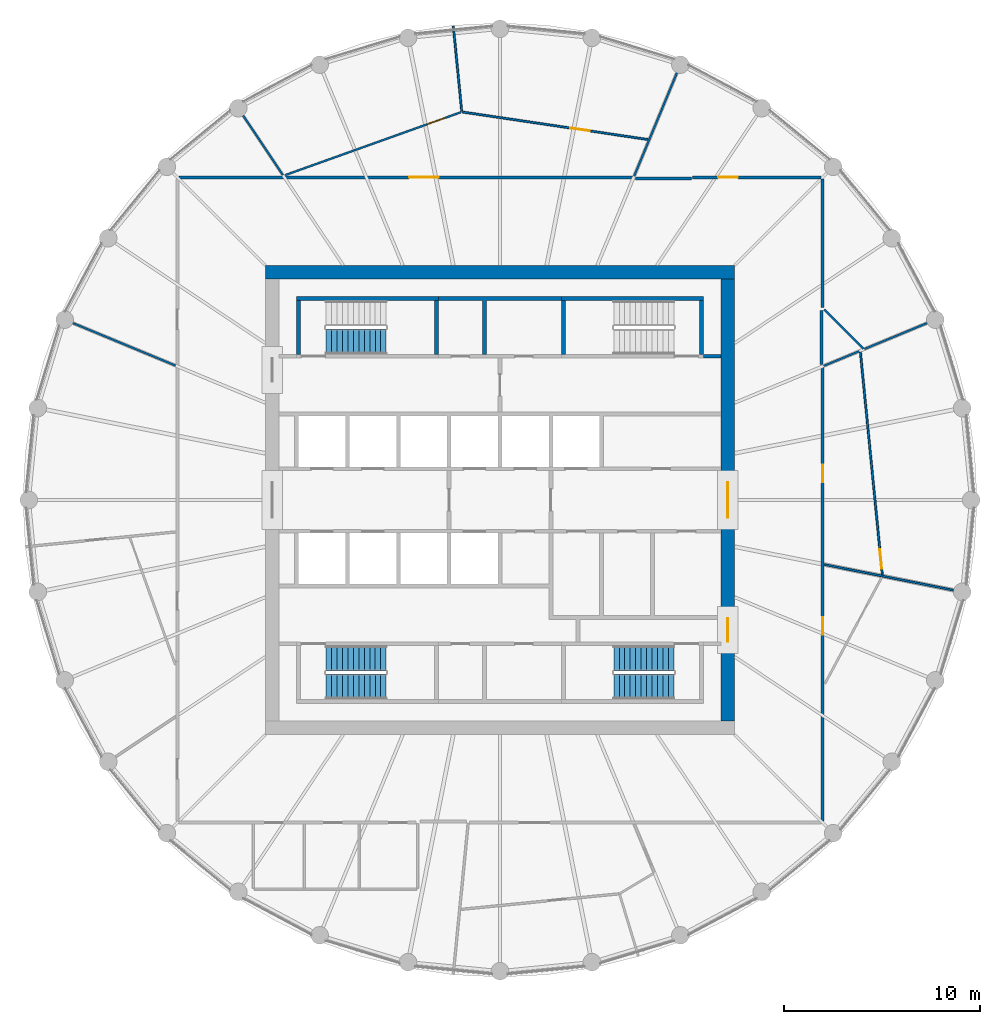
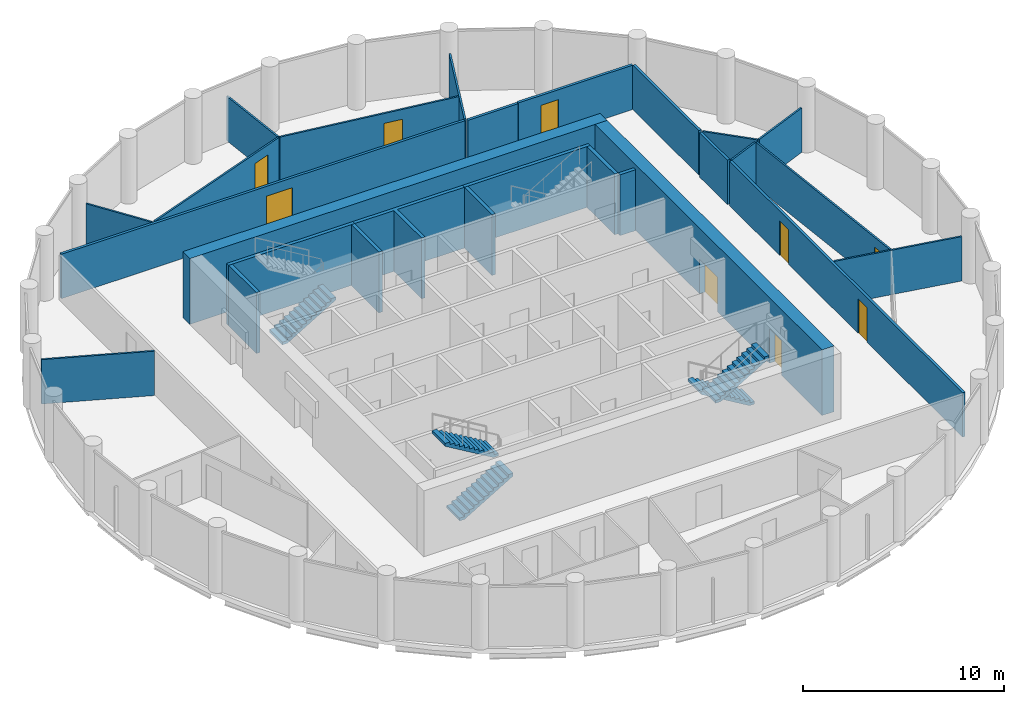
# One storey, part 6 of 8: 27 walls, 9 doors, 5 stair flights, 9 openings, 3 elements without a shape of their own.
"""IFC4 building model written with IfcOpenShell, lengths in metres."""

from ifc_helpers import new_model, si_unit, direction, frame, frame_2d, origin, place, context, subcontext, project, spatial, polyline, rectangle, outline, extrude, material, layer, layer_set, type_object, element, fill, aggregate, save


model = new_model("IFC4")

# Units and contexts
model_context = context("Model", 3, precision=1e-05, world=origin(), true_north=direction((0.0, 1.0)))
body_context = subcontext(model_context, "Body", "Model", "MODEL_VIEW")
ifc_project = project(units=[si_unit("LENGTHUNIT", "METRE"), si_unit("AREAUNIT", "SQUARE_METRE"), si_unit("VOLUMEUNIT", "CUBIC_METRE"), si_unit("PLANEANGLEUNIT", "RADIAN"), si_unit("MASSUNIT", "GRAM", prefix="KILO")], contexts=[model_context])

# Site, building, storey
site_placement = place(None, origin())
site = spatial("IfcSite", under=ifc_project, at=site_placement, CompositionType="ELEMENT")
building_placement = place(site_placement, origin())
building = spatial("IfcBuilding", under=site, at=building_placement, Name="Corvane Civic Tower", CompositionType="ELEMENT")
storey_placement = place(building_placement, frame((0.0, 0.0, 303.0)))
storey = spatial("IfcBuildingStorey", under=building, at=storey_placement, Name="L72", CompositionType="ELEMENT", Elevation=303.0)

# Wall
ifc_material_1 = material(Name="Concrete C40/50", Category="concrete")
ifc_layer_1 = layer(ifc_material_1, 0.699951171875)
ifc_layer_set_1 = layer_set([ifc_layer_1], Name="Concrete C40/50")
wall_type_1 = type_object("IfcWallType", Name="CORE WALL 700 C40/50", PredefinedType="SHEAR", material=ifc_layer_set_1)
wall_1_placement = place(storey_placement, frame((-12.0, 11.64990234375, 0.0), z_axis=(0.0, 0.0, 1.0), x_axis=(1.0, 0.0, 0.0)))
element("IfcWall", 1, at=wall_1_placement, inside=storey, type_object=wall_type_1, Name="W-L72-core-N", PredefinedType="SHEAR", context=body_context, shape_type="SweptSolid", body=[
    extrude(rectangle(XDim=24.0, YDim=0.699951171875, at=frame_2d((12.0, 0.0))), origin(), (0.0, 0.0, 1.0), 4.0),
])

# Wall, openings, doors
wall_2_placement = place(storey_placement, frame((11.64990234375, -11.300048828125, 0.0), z_axis=(0.0, 0.0, 1.0), x_axis=(0.0, 1.0, 0.0)))
wall_2 = element("IfcWall", 2, at=wall_2_placement, inside=storey, type_object=wall_type_1, Name="W-L72-core-E", PredefinedType="SHEAR", context=body_context, shape_type="SweptSolid", body=[
    extrude(rectangle(XDim=22.60009765625, YDim=0.699951171875, at=frame_2d((11.300048828125, 0.0))), origin(), (0.0, 0.0, 1.0), 4.0),
])
opening_1_placement = place(wall_2_placement, frame((10.39990234375, 0.0, 0.0)))
opening_1 = element("IfcOpeningElement", 3, at=opening_1_placement, cuts=wall_2, Name="Opening L72.C18", PredefinedType="OPENING", context=body_context, shape_type="SweptSolid", body=[
    extrude(rectangle(XDim=1.800048828125, YDim=2.10009765625, at=frame_2d((0.89990234375, 1.050048828125))), frame((0.0, 0.35986328125, 0.0), z_axis=(0.0, -1.0, 0.0), x_axis=(1.0, 0.0, 0.0)), (0.0, 0.0, 1.0), 0.719970703125),
])
opening_2_placement = place(wall_2_placement, frame((4.050048828125, 0.0, 0.0)))
opening_2 = element("IfcOpeningElement", 4, at=opening_2_placement, cuts=wall_2, Name="Opening L72.C20", PredefinedType="OPENING", context=body_context, shape_type="SweptSolid", body=[
    extrude(rectangle(XDim=1.199951171875, YDim=2.10009765625, at=frame_2d((0.60009765625, 1.050048828125))), frame((0.0, 0.35986328125, 0.0), z_axis=(0.0, -1.0, 0.0), x_axis=(1.0, 0.0, 0.0)), (0.0, 0.0, 1.0), 0.719970703125),
])
ifc_material_2 = material(Name="Steel fire door leaf", Category="steel")
door_type_1 = type_object("IfcDoorType", Name="CR-DOOR-CORE-1800", OperationType="DOUBLE_DOOR_SINGLE_SWING", PredefinedType="DOOR", material=ifc_material_2)
door_1_placement = place(opening_1_placement, origin())
door_1 = element("IfcDoor", 5, at=door_1_placement, inside=storey, type_object=door_type_1, Name="L72 door", OperationType="DOUBLE_DOOR_SINGLE_SWING", OverallHeight=2.10009765625, OverallWidth=1.800048828125, PredefinedType="DOOR", context=body_context, shape_type="SweptSolid", body=[
    extrude(rectangle(XDim=1.800048828125, YDim=2.10009765625, at=frame_2d((0.89990234375, 1.050048828125))), frame((0.0, 0.02490234375, 0.0), z_axis=(0.0, -1.0, 0.0), x_axis=(1.0, 0.0, 0.0)), (0.0, 0.0, 1.0), 0.050048828125),
])
fill(opening_1, door_1)
door_2_placement = place(opening_2_placement, origin())
door_2 = element("IfcDoor", 6, at=door_2_placement, inside=storey, type_object=door_type_1, Name="L72 door", OperationType="DOUBLE_DOOR_SINGLE_SWING", OverallHeight=2.10009765625, OverallWidth=1.199951171875, PredefinedType="DOOR", context=body_context, shape_type="SweptSolid", body=[
    extrude(rectangle(XDim=1.199951171875, YDim=2.10009765625, at=frame_2d((0.60009765625, 1.050048828125))), frame((0.0, 0.02490234375, 0.0), z_axis=(0.0, -1.0, 0.0), x_axis=(1.0, 0.0, 0.0)), (0.0, 0.0, 1.0), 0.050048828125),
])
fill(opening_2, door_2)

# Walls
ifc_material_3 = material(Name="Concrete C30/37", Category="concrete")
ifc_layer_2 = layer(ifc_material_3, 0.199951171875)
ifc_layer_set_2 = layer_set([ifc_layer_2], Name="Concrete C30/37")
wall_type_2 = type_object("IfcWallType", Name="CR-WALL-200", PredefinedType="PARTITIONING", material=ifc_layer_set_2)
wall_3_placement = place(storey_placement, origin())
element("IfcWall", 7, at=wall_3_placement, inside=storey, type_object=wall_type_2, Name="L72 core partition wall", PredefinedType="PARTITIONING", context=body_context, shape_type="SweptSolid", body=[
    extrude(outline(polyline([(3.14990234375, 10.39990234375), (3.14990234375, 10.199951171875), (-0.699951171875, 10.199951171875), (-0.699951171875, 7.449951171875), (-0.89990234375, 7.449951171875), (-0.89990234375, 10.199951171875), (-3.14990234375, 10.199951171875), (-3.14990234375, 10.39990234375), (3.14990234375, 10.39990234375)])), origin(), (0.0, 0.0, 1.0), 3.699951171875),
])
wall_4_placement = place(storey_placement, origin())
element("IfcWall", 8, at=wall_4_placement, inside=storey, type_object=wall_type_2, Name="L72 core partition wall", PredefinedType="PARTITIONING", context=body_context, shape_type="SweptSolid", body=[
    extrude(outline(polyline([(10.39990234375, 7.25), (10.39990234375, 7.449951171875), (11.300048828125, 7.449951171875), (11.300048828125, 7.25), (10.39990234375, 7.25)])), origin(), (0.0, 0.0, 1.0), 3.699951171875),
])
ifc_material_4 = material(Name="Plasterboard")
ifc_layer_3 = layer(ifc_material_4, 0.10009765625)
ifc_layer_set_3 = layer_set([ifc_layer_3], Name="Plasterboard")
wall_type_3 = type_object("IfcWallType", Name="Partition 100 plasterboard on studs", PredefinedType="PARTITIONING", material=ifc_layer_set_3)
wall_5_placement = place(storey_placement, frame((16.584716796875, -3.298828125, 0.0), z_axis=(0.0, 0.0, 1.0), x_axis=(0.980786617104, -0.195083601849, 0.0)))
element("IfcWall", 9, at=wall_5_placement, inside=storey, type_object=wall_type_3, Name="Partition L72.020", PredefinedType="PARTITIONING", context=body_context, shape_type="SweptSolid", body=[
    extrude(rectangle(XDim=6.73046875, YDim=0.10009765625, at=frame_2d((3.365234375, 0.0))), origin(), (0.0, 0.0, 1.0), 2.699951171875),
])

# Wall, opening, door
wall_6_placement = place(storey_placement, frame((18.433349609375, 7.5654296875, 0.0), z_axis=(0.0, 0.0, 1.0), x_axis=(0.09802300412, -0.995184149122, 0.0)))
wall_6 = element("IfcWall", 10, at=wall_6_placement, inside=storey, type_object=wall_type_3, Name="Partition L72.021", PredefinedType="PARTITIONING", context=body_context, shape_type="SweptSolid", body=[
    extrude(rectangle(XDim=11.444580078125, YDim=0.10009765625, at=frame_2d((5.72216796875, 0.0))), origin(), (0.0, 0.0, 1.0), 2.699951171875),
])
opening_3_placement = place(wall_6_placement, frame((10.14208984375, 0.0, 0.0)))
opening_3 = element("IfcOpeningElement", 11, at=opening_3_placement, cuts=wall_6, Name="Opening L72.002", PredefinedType="OPENING", context=body_context, shape_type="SweptSolid", body=[
    extrude(rectangle(XDim=1.0, YDim=2.10009765625, at=frame_2d((0.5, 1.050048828125))), frame((0.0, 0.06005859375, 0.0), z_axis=(0.0, -1.0, 0.0), x_axis=(1.0, 0.0, 0.0)), (0.0, 0.0, 1.0), 0.1201171875),
])
ifc_material_5 = material(Name="Timber", Category="wood")
door_type_2 = type_object("IfcDoorType", Name="Single door 1000", OperationType="NOTDEFINED", PredefinedType="DOOR", material=ifc_material_5)
door_3_placement = place(opening_3_placement, origin())
door_3 = element("IfcDoor", 12, at=door_3_placement, inside=storey, type_object=door_type_2, Name="Door L72.002", OperationType="SINGLE_SWING_LEFT", OverallHeight=2.10009765625, OverallWidth=1.0, PredefinedType="DOOR", context=body_context, shape_type="SweptSolid", body=[
    extrude(rectangle(XDim=1.0, YDim=2.10009765625, at=frame_2d((0.5, 1.050048828125))), frame((0.0, 0.02490234375, 0.0), z_axis=(0.0, -1.0, 0.0), x_axis=(1.0, 0.0, 0.0)), (0.0, 0.0, 1.0), 0.050048828125),
])
fill(opening_3, door_3)

# Walls
wall_7_placement = place(storey_placement, frame((16.55908203125, 6.85888671875, 0.0), z_axis=(0.0, 0.0, 1.0), x_axis=(0.923884360021, 0.382671777518, 0.0)))
element("IfcWall", 13, at=wall_7_placement, inside=storey, type_object=wall_type_3, Name="Partition L72.023", PredefinedType="PARTITIONING", context=body_context, shape_type="SweptSolid", body=[
    extrude(rectangle(XDim=1.9541015625, YDim=0.10009765625, at=frame_2d((0.97705078125, 0.0))), origin(), (0.0, 0.0, 1.0), 2.699951171875),
])
wall_8_placement = place(storey_placement, frame((-21.84033203125, 9.046630859375, 0.0), z_axis=(0.0, 0.0, 1.0), x_axis=(0.9238800682, -0.382682139097, 0.0)))
element("IfcWall", 14, at=wall_8_placement, inside=storey, type_object=wall_type_3, Name="Partition L72.024", PredefinedType="PARTITIONING", context=body_context, shape_type="SweptSolid", body=[
    extrude(rectangle(XDim=5.6787109375, YDim=0.10009765625, at=frame_2d((2.83935546875, 0.0))), origin(), (0.0, 0.0, 1.0), 2.699951171875),
])
wall_9_placement = place(storey_placement, frame((18.642578125, 7.721923828125, 0.0), z_axis=(0.0, 0.0, 1.0), x_axis=(0.923863801969, 0.382721407046, 0.0)))
element("IfcWall", 15, at=wall_9_placement, inside=storey, type_object=wall_type_3, Name="Partition L72.026", PredefinedType="PARTITIONING", context=body_context, shape_type="SweptSolid", body=[
    extrude(rectangle(XDim=3.461181640625, YDim=0.10009765625, at=frame_2d((1.73046875, 0.0))), origin(), (0.0, 0.0, 1.0), 2.699951171875),
])
wall_10_placement = place(storey_placement, frame((16.575439453125, 9.74560546875, 0.0), z_axis=(0.0, 0.0, 1.0), x_axis=(0.707106781187, -0.707106781187, 0.0)))
element("IfcWall", 16, at=wall_10_placement, inside=storey, type_object=wall_type_3, Name="Partition L72.027", PredefinedType="PARTITIONING", context=body_context, shape_type="SweptSolid", body=[
    extrude(rectangle(XDim=2.846435546875, YDim=0.10009765625, at=frame_2d((1.42333984375, 0.0))), origin(), (0.0, 0.0, 1.0), 2.699951171875),
])
wall_11_placement = place(storey_placement, frame((6.86328125, 16.569091796875, 0.0), z_axis=(0.0, 0.0, 1.0), x_axis=(0.382673022153, 0.923883844494, 0.0)))
element("IfcWall", 17, at=wall_11_placement, inside=storey, type_object=wall_type_3, Name="Partition L72.032", PredefinedType="PARTITIONING", context=body_context, shape_type="SweptSolid", body=[
    extrude(rectangle(XDim=5.70556640625, YDim=0.10009765625, at=frame_2d((2.852783203125, 0.0))), origin(), (0.0, 0.0, 1.0), 2.699951171875),
])
wall_12_placement = place(storey_placement, frame((-13.133544921875, 19.656005859375, 0.0), z_axis=(0.0, 0.0, 1.0), x_axis=(0.555547507872, -0.831484796311, 0.0)))
element("IfcWall", 18, at=wall_12_placement, inside=storey, type_object=wall_type_3, Name="Partition L72.033", PredefinedType="PARTITIONING", context=body_context, shape_type="SweptSolid", body=[
    extrude(rectangle(XDim=3.65576171875, YDim=0.10009765625, at=frame_2d((1.827880859375, 0.0))), origin(), (0.0, 0.0, 1.0), 2.699951171875),
])

# Wall, opening, door
wall_13_placement = place(storey_placement, frame((-10.973388671875, 16.6220703125, 0.0), z_axis=(0.0, 0.0, 1.0), x_axis=(0.94154661976, 0.336882713743, 0.0)))
wall_13 = element("IfcWall", 19, at=wall_13_placement, inside=storey, type_object=wall_type_3, Name="Partition L72.034", PredefinedType="PARTITIONING", context=body_context, shape_type="SweptSolid", body=[
    extrude(rectangle(XDim=9.539306640625, YDim=0.10009765625, at=frame_2d((4.76953125, 0.0))), origin(), (0.0, 0.0, 1.0), 2.699951171875),
])
opening_4_placement = place(wall_13_placement, frame((7.69580078125, 0.0, 0.0)))
opening_4 = element("IfcOpeningElement", 20, at=opening_4_placement, cuts=wall_13, Name="Opening L72.017", PredefinedType="OPENING", context=body_context, shape_type="SweptSolid", body=[
    extrude(rectangle(XDim=1.0, YDim=2.10009765625, at=frame_2d((0.5, 1.050048828125))), frame((0.0, 0.06005859375, 0.0), z_axis=(0.0, -1.0, 0.0), x_axis=(1.0, 0.0, 0.0)), (0.0, 0.0, 1.0), 0.1201171875),
])
door_4_placement = place(opening_4_placement, origin())
door_4 = element("IfcDoor", 21, at=door_4_placement, inside=storey, type_object=door_type_2, Name="Door L72.017", OperationType="SINGLE_SWING_LEFT", OverallHeight=2.10009765625, OverallWidth=1.0, PredefinedType="DOOR", context=body_context, shape_type="SweptSolid", body=[
    extrude(rectangle(XDim=1.0, YDim=2.10009765625, at=frame_2d((0.5, 1.050048828125))), frame((0.0, 0.02490234375, 0.0), z_axis=(0.0, -1.0, 0.0), x_axis=(1.0, 0.0, 0.0)), (0.0, 0.0, 1.0), 0.050048828125),
])
fill(opening_4, door_4)

wall_14_placement = place(storey_placement, frame((-1.916259765625, 19.843017578125, 0.0), z_axis=(0.0, 0.0, 1.0), x_axis=(0.989177063475, -0.146726742943, 0.0)))
wall_14 = element("IfcWall", 22, at=wall_14_placement, inside=storey, type_object=wall_type_3, Name="Partition L72.035", PredefinedType="PARTITIONING", context=body_context, shape_type="SweptSolid", body=[
    extrude(rectangle(XDim=9.589111328125, YDim=0.10009765625, at=frame_2d((4.79443359375, 0.0))), origin(), (0.0, 0.0, 1.0), 2.699951171875),
])
opening_5_placement = place(wall_14_placement, frame((5.57763671875, 0.0, 0.0)))
opening_5 = element("IfcOpeningElement", 23, at=opening_5_placement, cuts=wall_14, Name="Opening L72.018", PredefinedType="OPENING", context=body_context, shape_type="SweptSolid", body=[
    extrude(rectangle(XDim=1.0, YDim=2.10009765625, at=frame_2d((0.5, 1.050048828125))), frame((0.0, 0.06005859375, 0.0), z_axis=(0.0, -1.0, 0.0), x_axis=(1.0, 0.0, 0.0)), (0.0, 0.0, 1.0), 0.1201171875),
])
door_5_placement = place(opening_5_placement, origin())
door_5 = element("IfcDoor", 24, at=door_5_placement, inside=storey, type_object=door_type_2, Name="Door L72.018", OperationType="SINGLE_SWING_RIGHT", OverallHeight=2.10009765625, OverallWidth=1.0, PredefinedType="DOOR", context=body_context, shape_type="SweptSolid", body=[
    extrude(rectangle(XDim=1.0, YDim=2.10009765625, at=frame_2d((0.5, 1.050048828125))), frame((0.0, 0.02490234375, 0.0), z_axis=(0.0, -1.0, 0.0), x_axis=(1.0, 0.0, 0.0)), (0.0, 0.0, 1.0), 0.050048828125),
])
fill(opening_5, door_5)

# Walls
wall_15_placement = place(storey_placement, frame((-2.38671875, 24.23291015625, 0.0), z_axis=(0.0, 0.0, 1.0), x_axis=(0.098019909414, -0.995184453937, 0.0)))
element("IfcWall", 25, at=wall_15_placement, inside=storey, type_object=wall_type_3, Name="Partition L72.036", PredefinedType="PARTITIONING", context=body_context, shape_type="SweptSolid", body=[
    extrude(rectangle(XDim=4.3662109375, YDim=0.10009765625, at=frame_2d((2.18310546875, 0.0))), origin(), (0.0, 0.0, 1.0), 2.699951171875),
])
ifc_material_6 = material(Name="Concrete C50/60", Category="concrete")
ifc_layer_4 = layer(ifc_material_6, 0.199951171875)
ifc_layer_set_4 = layer_set([ifc_layer_4], Name="Concrete C50/60")
wall_type_4 = type_object("IfcWallType", Name="ST-WALL-200", PredefinedType="SHEAR", material=ifc_layer_set_4)
wall_16_placement = place(storey_placement, origin())
element("IfcWall", 26, at=wall_16_placement, inside=storey, type_object=wall_type_4, Name="L72 stair enclosure wall", PredefinedType="SHEAR", context=body_context, shape_type="SweptSolid", body=[
    extrude(outline(polyline([(-3.14990234375, 10.199951171875), (-10.39990234375, 10.199951171875), (-10.39990234375, 10.39990234375), (-3.14990234375, 10.39990234375), (-3.14990234375, 10.199951171875)])), origin(), (0.0, 0.0, 1.0), 3.699951171875),
])
wall_17_placement = place(storey_placement, origin())
element("IfcWall", 27, at=wall_17_placement, inside=storey, type_object=wall_type_4, Name="L72 stair enclosure wall", PredefinedType="SHEAR", context=body_context, shape_type="SweptSolid", body=[
    extrude(outline(polyline([(10.39990234375, 10.199951171875), (3.14990234375, 10.199951171875), (3.14990234375, 10.39990234375), (10.39990234375, 10.39990234375), (10.39990234375, 10.199951171875)])), origin(), (0.0, 0.0, 1.0), 3.699951171875),
])
wall_18_placement = place(storey_placement, origin())
element("IfcWall", 28, at=wall_18_placement, inside=storey, type_object=wall_type_4, Name="L72 stair enclosure wall", PredefinedType="SHEAR", context=body_context, shape_type="SweptSolid", body=[
    extrude(outline(polyline([(-3.14990234375, 7.449951171875), (-3.35009765625, 7.449951171875), (-3.35009765625, 10.199951171875), (-3.14990234375, 10.199951171875), (-3.14990234375, 7.449951171875)])), origin(), (0.0, 0.0, 1.0), 3.699951171875),
])
wall_19_placement = place(storey_placement, origin())
element("IfcWall", 29, at=wall_19_placement, inside=storey, type_object=wall_type_4, Name="L72 stair enclosure wall", PredefinedType="SHEAR", context=body_context, shape_type="SweptSolid", body=[
    extrude(outline(polyline([(3.35009765625, 7.449951171875), (3.14990234375, 7.449951171875), (3.14990234375, 10.199951171875), (3.35009765625, 10.199951171875), (3.35009765625, 7.449951171875)])), origin(), (0.0, 0.0, 1.0), 3.699951171875),
])
wall_20_placement = place(storey_placement, origin())
element("IfcWall", 30, at=wall_20_placement, inside=storey, type_object=wall_type_4, Name="L72 stair enclosure wall", PredefinedType="SHEAR", context=body_context, shape_type="SweptSolid", body=[
    extrude(outline(polyline([(-10.199951171875, 7.449951171875), (-10.39990234375, 7.449951171875), (-10.39990234375, 10.199951171875), (-10.199951171875, 10.199951171875), (-10.199951171875, 7.449951171875)])), origin(), (0.0, 0.0, 1.0), 3.699951171875),
])
wall_21_placement = place(storey_placement, origin())
element("IfcWall", 31, at=wall_21_placement, inside=storey, type_object=wall_type_4, Name="L72 stair enclosure wall", PredefinedType="SHEAR", context=body_context, shape_type="SweptSolid", body=[
    extrude(outline(polyline([(10.39990234375, 7.449951171875), (10.199951171875, 7.449951171875), (10.199951171875, 10.199951171875), (10.39990234375, 10.199951171875), (10.39990234375, 7.449951171875)])), origin(), (0.0, 0.0, 1.0), 3.699951171875),
])

# Wall, openings, doors
ifc_material_7 = material(Name="Plasterboard")
ifc_layer_5 = layer(ifc_material_7, 0.14990234375)
ifc_layer_set_5 = layer_set([ifc_layer_5], Name="Plasterboard")
wall_type_5 = type_object("IfcWallType", Name="Tenancy wall 150 EI 60", PredefinedType="PARTITIONING", material=ifc_layer_set_5)
wall_22_placement = place(storey_placement, frame((16.5, -16.425048828125, 0.0), z_axis=(0.0, 0.0, 1.0), x_axis=(0.0, 1.0, 0.0)))
wall_22 = element("IfcWall", 32, at=wall_22_placement, inside=storey, type_object=wall_type_5, Name="Partition L72.015", PredefinedType="PARTITIONING", context=body_context, shape_type="SweptSolid", body=[
    extrude(rectangle(XDim=23.20947265625, YDim=0.14990234375, at=frame_2d((11.604736328125, 0.0))), origin(), (0.0, 0.0, 1.0), 2.699951171875),
])
opening_6_placement = place(wall_22_placement, frame((17.328369140625, 0.0, 0.0)))
opening_6 = element("IfcOpeningElement", 33, at=opening_6_placement, cuts=wall_22, Name="Opening L72.004", PredefinedType="OPENING", context=body_context, shape_type="SweptSolid", body=[
    extrude(rectangle(XDim=0.89990234375, YDim=2.10009765625, at=frame_2d((0.449951171875, 1.050048828125))), frame((0.0, 0.0849609375, 0.0), z_axis=(0.0, -1.0, 0.0), x_axis=(1.0, 0.0, 0.0)), (0.0, 0.0, 1.0), 0.169921875),
])
opening_7_placement = place(wall_22_placement, frame((9.5244140625, 0.0, 0.0)))
opening_7 = element("IfcOpeningElement", 34, at=opening_7_placement, cuts=wall_22, Name="Opening L72.005", PredefinedType="OPENING", context=body_context, shape_type="SweptSolid", body=[
    extrude(rectangle(XDim=0.89990234375, YDim=2.10009765625, at=frame_2d((0.449951171875, 1.050048828125))), frame((0.0, 0.0849609375, 0.0), z_axis=(0.0, -1.0, 0.0), x_axis=(1.0, 0.0, 0.0)), (0.0, 0.0, 1.0), 0.169921875),
])
ifc_material_8 = material(Name="Steel and timber", Category="steel")
door_type_3 = type_object("IfcDoorType", Name="Fire door FD30S 900", OperationType="NOTDEFINED", PredefinedType="DOOR", material=ifc_material_8)
door_6_placement = place(opening_6_placement, frame((0.89990234375, 0.0, 0.0), z_axis=(0.0, 0.0, 1.0), x_axis=(-1.0, 0.0, 0.0)))
door_6 = element("IfcDoor", 35, at=door_6_placement, inside=storey, type_object=door_type_3, Name="Door L72.004", OperationType="SINGLE_SWING_LEFT", OverallHeight=2.10009765625, OverallWidth=0.89990234375, PredefinedType="DOOR", context=body_context, shape_type="SweptSolid", body=[
    extrude(rectangle(XDim=0.89990234375, YDim=2.10009765625, at=frame_2d((0.449951171875, 1.050048828125))), frame((0.0, 0.02490234375, 0.0), z_axis=(0.0, -1.0, 0.0), x_axis=(1.0, 0.0, 0.0)), (0.0, 0.0, 1.0), 0.050048828125),
])
fill(opening_6, door_6)
door_7_placement = place(opening_7_placement, frame((0.89990234375, 0.0, 0.0), z_axis=(0.0, 0.0, 1.0), x_axis=(-1.0, 0.0, 0.0)))
door_7 = element("IfcDoor", 36, at=door_7_placement, inside=storey, type_object=door_type_3, Name="Door L72.005", OperationType="SINGLE_SWING_LEFT", OverallHeight=2.10009765625, OverallWidth=0.89990234375, PredefinedType="DOOR", context=body_context, shape_type="SweptSolid", body=[
    extrude(rectangle(XDim=0.89990234375, YDim=2.10009765625, at=frame_2d((0.449951171875, 1.050048828125))), frame((0.0, 0.02490234375, 0.0), z_axis=(0.0, -1.0, 0.0), x_axis=(1.0, 0.0, 0.0)), (0.0, 0.0, 1.0), 0.050048828125),
])
fill(opening_7, door_7)

# Walls
wall_23_placement = place(storey_placement, frame((16.449951171875, 6.926025390625, 0.0), z_axis=(0.0, 0.0, 1.0), x_axis=(0.0, 1.0, 0.0)))
element("IfcWall", 37, at=wall_23_placement, inside=storey, type_object=wall_type_5, Name="Partition L72.025", PredefinedType="PARTITIONING", context=body_context, shape_type="SweptSolid", body=[
    extrude(rectangle(XDim=2.763916015625, YDim=0.14990234375, at=frame_2d((1.3818359375, 0.0))), origin(), (0.0, 0.0, 1.0), 2.699951171875),
])
wall_24_placement = place(storey_placement, frame((16.5, 9.85205078125, 0.0), z_axis=(0.0, 0.0, 1.0), x_axis=(0.0, 1.0, 0.0)))
element("IfcWall", 38, at=wall_24_placement, inside=storey, type_object=wall_type_5, Name="Partition L72.028", PredefinedType="PARTITIONING", context=body_context, shape_type="SweptSolid", body=[
    extrude(rectangle(XDim=6.572998046875, YDim=0.14990234375, at=frame_2d((3.28662109375, 0.0))), origin(), (0.0, 0.0, 1.0), 2.699951171875),
])
wall_25_placement = place(storey_placement, frame((6.926025390625, 16.449951171875, 0.0), z_axis=(0.0, 0.0, 1.0), x_axis=(1.0, 0.0, 0.0)))
element("IfcWall", 39, at=wall_25_placement, inside=storey, type_object=wall_type_5, Name="Partition L72.029", PredefinedType="PARTITIONING", context=body_context, shape_type="SweptSolid", body=[
    extrude(rectangle(XDim=2.86669921875, YDim=0.14990234375, at=frame_2d((1.433349609375, 0.0))), origin(), (0.0, 0.0, 1.0), 2.699951171875),
])

# Wall, opening, door
wall_26_placement = place(storey_placement, frame((-16.425048828125, 16.5, 0.0), z_axis=(0.0, 0.0, 1.0), x_axis=(1.0, 0.0, 0.0)))
wall_26 = element("IfcWall", 40, at=wall_26_placement, inside=storey, type_object=wall_type_5, Name="Partition L72.030", PredefinedType="PARTITIONING", context=body_context, shape_type="SweptSolid", body=[
    extrude(rectangle(XDim=23.20947265625, YDim=0.14990234375, at=frame_2d((11.604736328125, 0.0))), origin(), (0.0, 0.0, 1.0), 2.699951171875),
])
opening_8_placement = place(wall_26_placement, frame((11.780029296875, 0.0, 0.0)))
opening_8 = element("IfcOpeningElement", 41, at=opening_8_placement, cuts=wall_26, Name="Opening L72.019", PredefinedType="OPENING", context=body_context, shape_type="SweptSolid", body=[
    extrude(rectangle(XDim=1.5, YDim=2.10009765625, at=frame_2d((0.75, 1.050048828125))), frame((0.0, 0.0849609375, 0.0), z_axis=(0.0, -1.0, 0.0), x_axis=(1.0, 0.0, 0.0)), (0.0, 0.0, 1.0), 0.169921875),
])
ifc_material_9 = material(Name="Steel and timber", Category="steel")
door_type_4 = type_object("IfcDoorType", Name="Fire door FD60 double 1500", OperationType="NOTDEFINED", PredefinedType="DOOR", material=ifc_material_9)
door_8_placement = place(opening_8_placement, origin())
door_8 = element("IfcDoor", 42, at=door_8_placement, inside=storey, type_object=door_type_4, Name="Door L72.019", OperationType="DOUBLE_DOOR_SINGLE_SWING", OverallHeight=2.10009765625, OverallWidth=1.5, PredefinedType="DOOR", context=body_context, shape_type="SweptSolid", body=[
    extrude(rectangle(XDim=1.5, YDim=2.10009765625, at=frame_2d((0.75, 1.050048828125))), frame((0.0, 0.02490234375, 0.0), z_axis=(0.0, -1.0, 0.0), x_axis=(1.0, 0.0, 0.0)), (0.0, 0.0, 1.0), 0.050048828125),
])
fill(opening_8, door_8)

wall_27_placement = place(storey_placement, frame((9.8427734375, 16.5, 0.0), z_axis=(0.0, 0.0, 1.0), x_axis=(1.0, 0.0, 0.0)))
wall_27 = element("IfcWall", 43, at=wall_27_placement, inside=storey, type_object=wall_type_5, Name="Partition L72.031", PredefinedType="PARTITIONING", context=body_context, shape_type="SweptSolid", body=[
    extrude(rectangle(XDim=6.582275390625, YDim=0.14990234375, at=frame_2d((3.291015625, 0.0))), origin(), (0.0, 0.0, 1.0), 2.699951171875),
])
opening_9_placement = place(wall_27_placement, frame((1.319091796875, 0.0, 0.0)))
opening_9 = element("IfcOpeningElement", 44, at=opening_9_placement, cuts=wall_27, Name="Opening L72.001", PredefinedType="OPENING", context=body_context, shape_type="SweptSolid", body=[
    extrude(rectangle(XDim=1.0, YDim=2.10009765625, at=frame_2d((0.5, 1.050048828125))), frame((0.0, 0.0849609375, 0.0), z_axis=(0.0, -1.0, 0.0), x_axis=(1.0, 0.0, 0.0)), (0.0, 0.0, 1.0), 0.169921875),
])
ifc_material_10 = material(Name="Steel and timber", Category="steel")
door_type_5 = type_object("IfcDoorType", Name="Fire door FD30S 1000", OperationType="NOTDEFINED", PredefinedType="DOOR", material=ifc_material_10)
door_9_placement = place(opening_9_placement, origin())
door_9 = element("IfcDoor", 45, at=door_9_placement, inside=storey, type_object=door_type_5, Name="Door L72.001", OperationType="SINGLE_SWING_LEFT", OverallHeight=2.10009765625, OverallWidth=1.0, PredefinedType="DOOR", context=body_context, shape_type="SweptSolid", body=[
    extrude(rectangle(XDim=1.0, YDim=2.10009765625, at=frame_2d((0.5, 1.050048828125))), frame((0.0, 0.02490234375, 0.0), z_axis=(0.0, -1.0, 0.0), x_axis=(1.0, 0.0, 0.0)), (0.0, 0.0, 1.0), 0.050048828125),
])
fill(opening_9, door_9)

# Stair, stair flights
ifc_material_11 = material(Name="Concrete C40/50", Category="concrete")
stair_type = type_object("IfcStairType", Name="ST-STAIR-HALFTURN", PredefinedType="HALF_TURN_STAIR", material=ifc_material_11)
stair_1_placement = place(storey_placement, origin())
stair_1 = element("IfcStair", 46, at=stair_1_placement, inside=storey, type_object=stair_type, Name="L72 Exit stair ST2", PredefinedType="HALF_TURN_STAIR")
ifc_material_12 = material(Name="Concrete C40/50", Category="concrete")
stair_flight_type = type_object("IfcStairFlightType", Name="ST-FLIGHT-RC", PredefinedType="STRAIGHT", material=ifc_material_12)
stair_flight_1_placement = place(storey_placement, frame((8.89990234375, -8.10009765625, 0.0), z_axis=(0.0, 0.0, 1.0), x_axis=(-1.0, 0.0, 0.0)))
stair_flight_1 = element("IfcStairFlight", 47, at=stair_flight_1_placement, type_object=stair_flight_type, Name="ST2 flight 1", NumberOfRisers=12, NumberOfTreads=11, PredefinedType="STRAIGHT", RiserHeight=0.166666667, TreadLength=0.28, context=body_context, shape_type="SweptSolid", body=[
    extrude(outline(polyline([(0.0, 0.0), (0.0, 0.166748046875), (0.280029296875, 0.166748046875), (0.280029296875, 0.333251953125), (0.56005859375, 0.333251953125), (0.56005859375, 0.5), (0.840087890625, 0.5), (0.840087890625, 0.666748046875), (1.1201171875, 0.666748046875), (1.1201171875, 0.833251953125), (1.39990234375, 0.833251953125), (1.39990234375, 1.0), (1.679931640625, 1.0), (1.679931640625, 1.166748046875), (1.9599609375, 1.166748046875), (1.9599609375, 1.333251953125), (2.239990234375, 1.333251953125), (2.239990234375, 1.5), (2.52001953125, 1.5), (2.52001953125, 1.666748046875), (2.800048828125, 1.666748046875), (2.800048828125, 1.833251953125), (3.080078125, 1.833251953125), (3.080078125, 2.0), (3.080078125, 1.658935546875), (0.29296875, 0.0), (0.0, 0.0)])), frame((0.0, 0.64990234375, 0.0), z_axis=(0.0, -1.0, 0.0), x_axis=(1.0, 0.0, 0.0)), (0.0, 0.0, 1.0), 1.300048828125),
])
stair_flight_2_placement = place(storey_placement, frame((5.820068359375, -9.550048828125, 2.0), z_axis=(0.0, 0.0, 1.0), x_axis=(1.0, 0.0, 0.0)))
stair_flight_2 = element("IfcStairFlight", 48, at=stair_flight_2_placement, type_object=stair_flight_type, Name="ST2 flight 2", NumberOfRisers=12, NumberOfTreads=11, PredefinedType="STRAIGHT", RiserHeight=0.166666667, TreadLength=0.28, context=body_context, shape_type="SweptSolid", body=[
    extrude(outline(polyline([(0.0, 0.0), (0.0, 0.166748046875), (0.280029296875, 0.166748046875), (0.280029296875, 0.333251953125), (0.56005859375, 0.333251953125), (0.56005859375, 0.5), (0.840087890625, 0.5), (0.840087890625, 0.666748046875), (1.1201171875, 0.666748046875), (1.1201171875, 0.833251953125), (1.39990234375, 0.833251953125), (1.39990234375, 1.0), (1.679931640625, 1.0), (1.679931640625, 1.166748046875), (1.9599609375, 1.166748046875), (1.9599609375, 1.333251953125), (2.239990234375, 1.333251953125), (2.239990234375, 1.5), (2.52001953125, 1.5), (2.52001953125, 1.666748046875), (2.800048828125, 1.666748046875), (2.800048828125, 1.833251953125), (3.080078125, 1.833251953125), (3.080078125, 2.0), (3.080078125, 1.658935546875), (0.29296875, 0.0), (0.0, 0.0)])), frame((0.0, 0.64990234375, 0.0), z_axis=(0.0, -1.0, 0.0), x_axis=(1.0, 0.0, 0.0)), (0.0, 0.0, 1.0), 1.300048828125),
])
aggregate(stair_1, [stair_flight_1, stair_flight_2])

stair_2_placement = place(storey_placement, origin())
stair_2 = element("IfcStair", 49, at=stair_2_placement, inside=storey, type_object=stair_type, Name="L72 Exit stair ST3", PredefinedType="HALF_TURN_STAIR")
stair_flight_3_placement = place(storey_placement, frame((-8.89990234375, -9.550048828125, 0.0), z_axis=(0.0, 0.0, 1.0), x_axis=(1.0, 0.0, 0.0)))
stair_flight_3 = element("IfcStairFlight", 50, at=stair_flight_3_placement, type_object=stair_flight_type, Name="ST3 flight 1", NumberOfRisers=12, NumberOfTreads=11, PredefinedType="STRAIGHT", RiserHeight=0.166666667, TreadLength=0.28, context=body_context, shape_type="SweptSolid", body=[
    extrude(outline(polyline([(0.0, 0.0), (0.0, 0.166748046875), (0.280029296875, 0.166748046875), (0.280029296875, 0.333251953125), (0.56005859375, 0.333251953125), (0.56005859375, 0.5), (0.840087890625, 0.5), (0.840087890625, 0.666748046875), (1.1201171875, 0.666748046875), (1.1201171875, 0.833251953125), (1.39990234375, 0.833251953125), (1.39990234375, 1.0), (1.679931640625, 1.0), (1.679931640625, 1.166748046875), (1.9599609375, 1.166748046875), (1.9599609375, 1.333251953125), (2.239990234375, 1.333251953125), (2.239990234375, 1.5), (2.52001953125, 1.5), (2.52001953125, 1.666748046875), (2.800048828125, 1.666748046875), (2.800048828125, 1.833251953125), (3.080078125, 1.833251953125), (3.080078125, 2.0), (3.080078125, 1.658935546875), (0.29296875, 0.0), (0.0, 0.0)])), frame((0.0, 0.64990234375, 0.0), z_axis=(0.0, -1.0, 0.0), x_axis=(1.0, 0.0, 0.0)), (0.0, 0.0, 1.0), 1.300048828125),
])
stair_flight_4_placement = place(storey_placement, frame((-5.820068359375, -8.10009765625, 2.0), z_axis=(0.0, 0.0, 1.0), x_axis=(-1.0, 0.0, 0.0)))
stair_flight_4 = element("IfcStairFlight", 51, at=stair_flight_4_placement, type_object=stair_flight_type, Name="ST3 flight 2", NumberOfRisers=12, NumberOfTreads=11, PredefinedType="STRAIGHT", RiserHeight=0.166666667, TreadLength=0.28, context=body_context, shape_type="SweptSolid", body=[
    extrude(outline(polyline([(0.0, 0.0), (0.0, 0.166748046875), (0.280029296875, 0.166748046875), (0.280029296875, 0.333251953125), (0.56005859375, 0.333251953125), (0.56005859375, 0.5), (0.840087890625, 0.5), (0.840087890625, 0.666748046875), (1.1201171875, 0.666748046875), (1.1201171875, 0.833251953125), (1.39990234375, 0.833251953125), (1.39990234375, 1.0), (1.679931640625, 1.0), (1.679931640625, 1.166748046875), (1.9599609375, 1.166748046875), (1.9599609375, 1.333251953125), (2.239990234375, 1.333251953125), (2.239990234375, 1.5), (2.52001953125, 1.5), (2.52001953125, 1.666748046875), (2.800048828125, 1.666748046875), (2.800048828125, 1.833251953125), (3.080078125, 1.833251953125), (3.080078125, 2.0), (3.080078125, 1.658935546875), (0.29296875, 0.0), (0.0, 0.0)])), frame((0.0, 0.64990234375, 0.0), z_axis=(0.0, -1.0, 0.0), x_axis=(1.0, 0.0, 0.0)), (0.0, 0.0, 1.0), 1.300048828125),
])
aggregate(stair_2, [stair_flight_3, stair_flight_4])

# Stair, stair flight
stair_3_placement = place(storey_placement, origin())
stair_3 = element("IfcStair", 52, at=stair_3_placement, inside=storey, type_object=stair_type, Name="L72 Exit stair ST4", PredefinedType="HALF_TURN_STAIR")
stair_flight_5_placement = place(storey_placement, frame((-8.89990234375, 8.10009765625, 0.0), z_axis=(0.0, 0.0, 1.0), x_axis=(1.0, 0.0, 0.0)))
stair_flight_5 = element("IfcStairFlight", 53, at=stair_flight_5_placement, type_object=stair_flight_type, Name="ST4 flight 1", NumberOfRisers=12, NumberOfTreads=11, PredefinedType="STRAIGHT", RiserHeight=0.166666667, TreadLength=0.28, context=body_context, shape_type="SweptSolid", body=[
    extrude(outline(polyline([(0.0, 0.0), (0.0, 0.166748046875), (0.280029296875, 0.166748046875), (0.280029296875, 0.333251953125), (0.56005859375, 0.333251953125), (0.56005859375, 0.5), (0.840087890625, 0.5), (0.840087890625, 0.666748046875), (1.1201171875, 0.666748046875), (1.1201171875, 0.833251953125), (1.39990234375, 0.833251953125), (1.39990234375, 1.0), (1.679931640625, 1.0), (1.679931640625, 1.166748046875), (1.9599609375, 1.166748046875), (1.9599609375, 1.333251953125), (2.239990234375, 1.333251953125), (2.239990234375, 1.5), (2.52001953125, 1.5), (2.52001953125, 1.666748046875), (2.800048828125, 1.666748046875), (2.800048828125, 1.833251953125), (3.080078125, 1.833251953125), (3.080078125, 2.0), (3.080078125, 1.658935546875), (0.29296875, 0.0), (0.0, 0.0)])), frame((0.0, 0.64990234375, 0.0), z_axis=(0.0, -1.0, 0.0), x_axis=(1.0, 0.0, 0.0)), (0.0, 0.0, 1.0), 1.300048828125),
])
aggregate(stair_3, [stair_flight_5])

save(model, "model.ifc")
